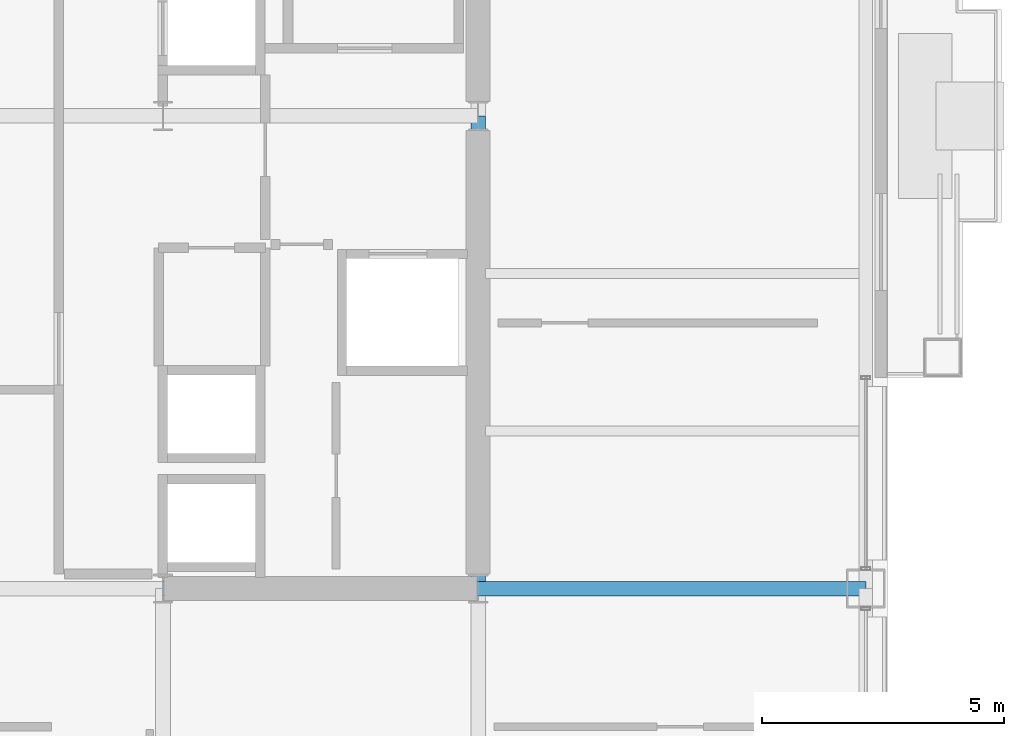
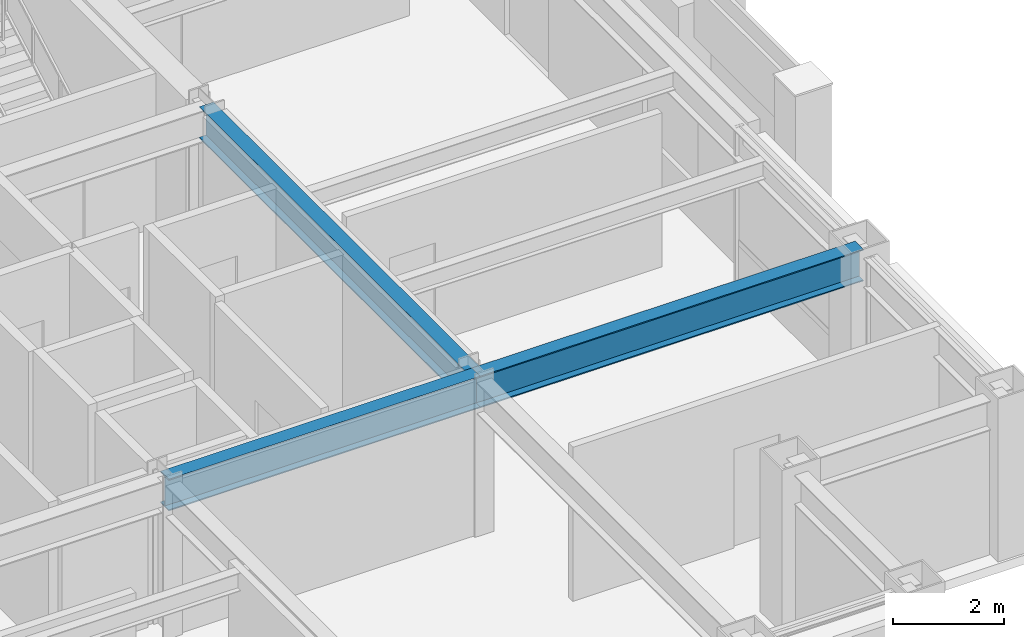
# One storey, part 13 of 29: 3 beams.
"""IFC4 building model written with IfcOpenShell, lengths in metres."""

from ifc_helpers import new_model, si_unit, direction, frame, origin, origin_2d, place, context, subcontext, project, spatial, i_section, extrude, material, material_profile, profile_set, type_object, element, save


model = new_model("IFC4")

# Units and contexts
model_context = context("Model", 3, precision=1e-05, world=origin(), true_north=direction((0.0, 1.0)))
body_context = subcontext(model_context, "Body", "Model", "MODEL_VIEW")
ifc_project = project(units=[si_unit("LENGTHUNIT", "METRE"), si_unit("AREAUNIT", "SQUARE_METRE"), si_unit("VOLUMEUNIT", "CUBIC_METRE"), si_unit("PLANEANGLEUNIT", "RADIAN"), si_unit("MASSUNIT", "GRAM", prefix="KILO")], contexts=[model_context])

# Site, building, storey
site_placement = place(None, origin())
site = spatial("IfcSite", under=ifc_project, at=site_placement, CompositionType="ELEMENT")
building_placement = place(site_placement, origin())
building = spatial("IfcBuilding", under=site, at=building_placement, Name="Brelmoor Portico Tower", CompositionType="ELEMENT")
storey_placement = place(building_placement, frame((0.0, 0.0, 124.199951171875)))
storey = spatial("IfcBuildingStorey", under=building, at=storey_placement, Name="L32", CompositionType="ELEMENT", Elevation=124.199951171875)

# Beams
ifc_material = material(Name="Steel Q355B", Category="steel")
ifc_material_profile = material_profile(ifc_material, i_section(OverallWidth=0.300048828125, OverallDepth=0.699951171875, WebThickness=0.012939453125, FlangeThickness=0.02392578125, at=origin_2d()), Name="HN 700x300x13x24")
ifc_profile_set = profile_set([ifc_material_profile], Name="Steel Q355B")
beam_type = type_object("IfcBeamType", Name="BM-PG-700", PredefinedType="BEAM", material=ifc_profile_set)
beam_1_placement = place(storey_placement, frame((14.550048828125, -9.75, 3.050048828125), z_axis=(0.0, 1.0, 0.0), x_axis=(-1.0, 0.0, 0.0)))
element("IfcBeam", 1, at=beam_1_placement, inside=storey, type_object=beam_type, Name="L32 Primary Floor Girder PG-11", PredefinedType="BEAM", context=body_context, shape_type="SweptSolid", body=[
    extrude(i_section(OverallWidth=0.300048828125, OverallDepth=0.699951171875, WebThickness=0.012939453125, FlangeThickness=0.02392578125, at=origin_2d()), origin(), (0.0, 0.0, 1.0), 9.75),
])
beam_2_placement = place(storey_placement, frame((8.050048828125, -9.75, 3.050048828125), z_axis=(1.0, 0.0, 0.0), x_axis=(0.0, 1.0, 0.0)))
element("IfcBeam", 2, at=beam_2_placement, inside=storey, type_object=beam_type, Name="L32 Primary Floor Girder PG-17", PredefinedType="BEAM", context=body_context, shape_type="SweptSolid", body=[
    extrude(i_section(OverallWidth=0.300048828125, OverallDepth=0.699951171875, WebThickness=0.012939453125, FlangeThickness=0.02392578125, at=origin_2d()), origin(), (0.0, 0.0, 1.0), 6.5),
])
beam_3_placement = place(storey_placement, frame((14.550048828125, -9.75, 3.050048828125), z_axis=(1.0, 0.0, 0.0), x_axis=(0.0, 1.0, 0.0)))
element("IfcBeam", 3, at=beam_3_placement, inside=storey, type_object=beam_type, Name="L32 Primary Floor Girder PG-18", PredefinedType="BEAM", context=body_context, shape_type="SweptSolid", body=[
    extrude(i_section(OverallWidth=0.300048828125, OverallDepth=0.699951171875, WebThickness=0.012939453125, FlangeThickness=0.02392578125, at=origin_2d()), origin(), (0.0, 0.0, 1.0), 8.0),
])

save(model, "model.ifc")
